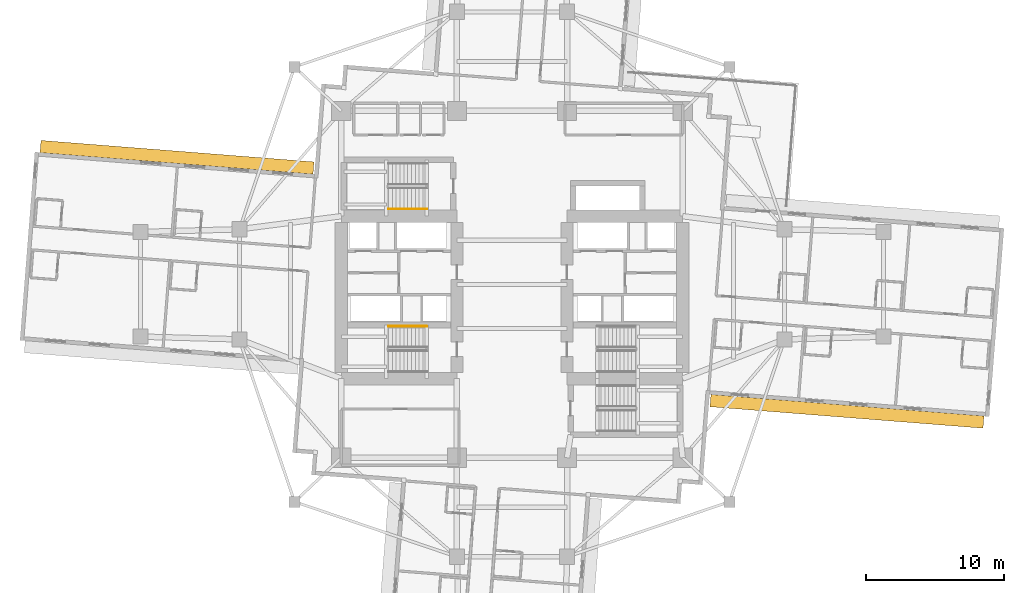
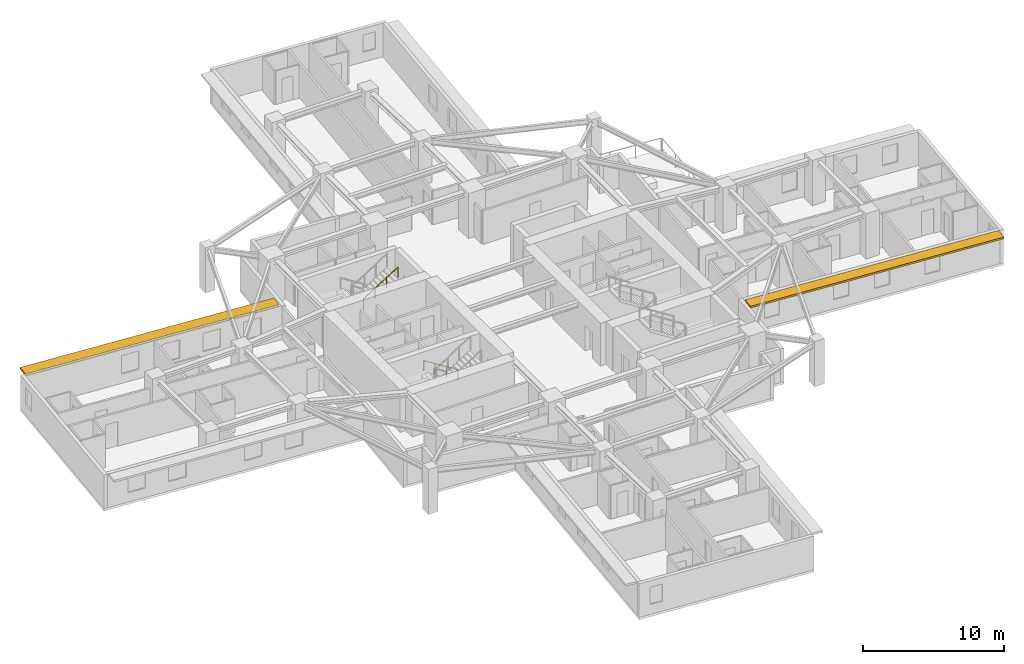
# One storey, part 12 of 14: 2 railings, 2 shading devices.
"""IFC4 building model written with IfcOpenShell, lengths in metres."""

from ifc_helpers import new_model, si_unit, direction, frame, origin, origin_2d, place, context, subcontext, project, spatial, rectangle, circle, extrude, material, layer, layer_set, type_object, element, save


model = new_model("IFC4")

# Units and contexts
model_context = context("Model", 3, precision=1e-05, world=origin(), true_north=direction((0.0, 1.0)))
body_context = subcontext(model_context, "Body", "Model", "MODEL_VIEW")
ifc_project = project(units=[si_unit("LENGTHUNIT", "METRE"), si_unit("AREAUNIT", "SQUARE_METRE"), si_unit("VOLUMEUNIT", "CUBIC_METRE"), si_unit("PLANEANGLEUNIT", "RADIAN"), si_unit("MASSUNIT", "GRAM", prefix="KILO")], contexts=[model_context])

# Site, building, storey
site_placement = place(None, origin())
site = spatial("IfcSite", under=ifc_project, at=site_placement, CompositionType="ELEMENT")
building_placement = place(site_placement, origin())
building = spatial("IfcBuilding", under=site, at=building_placement, Name="Qingluan Cross Belvedere", CompositionType="ELEMENT")
storey_placement = place(building_placement, frame((0.0, 0.0, 83.39990234375)))
storey = spatial("IfcBuildingStorey", under=building, at=storey_placement, Name="L21", CompositionType="ELEMENT", Elevation=83.39990234375)

# Shading devices
ifc_material_1 = material(Name="Precast concrete C45", Category="concrete")
ifc_layer = layer(ifc_material_1, 0.159912109375, Name="ConcreteSunshadeBand_900")
ifc_layer_set = layer_set([ifc_layer], Name="Precast concrete C45")
shading_device_type = type_object("IfcShadingDeviceType", Name="ConcreteSunshadeBand_900", PredefinedType="USERDEFINED", material=ifc_layer_set)
for number, where, z_axis, x_axis, name in (
    (1, (24.341064453125, -9.228271484375, 2.72998046875), (0.0, 0.0, 1.0), (0.996917430244, -0.078457869429, 0.0), "Concrete SUNSHADE L21-EA"),
    (2, (-24.341064453125, 9.228271484375, 2.72998046875), (0.0, 0.0, 1.0), (-0.996917430244, 0.078457869429, 0.0), "Concrete SUNSHADE L21-WA"),
):
    element("IfcShadingDevice", number, at=place(storey_placement, frame(where, z_axis=z_axis, x_axis=x_axis)), inside=storey, type_object=shading_device_type, Name=name, ObjectType="SUNSHADE", PredefinedType="USERDEFINED", context=body_context, shape_type="SweptSolid", body=[
        extrude(rectangle(XDim=19.89990234375, YDim=0.89990234375, at=origin_2d()), origin(), (0.0, 0.0, 1.0), 0.159912109375),
    ])

# Railings
ifc_material_2 = material(Name="Brushed stainless steel tubular handrail", Category="steel")
railing_type = type_object("IfcRailingType", Name="StairPitchHandrail_900", PredefinedType="HANDRAIL", material=ifc_material_2)
railing_1_placement = place(storey_placement, frame((-6.179931640625, -3.050048828125, 0.177490234375)))
element("IfcRailing", 3, at=railing_1_placement, inside=storey, type_object=railing_type, Name="L21 ST1 stair handrail 1", PredefinedType="HANDRAIL", context=body_context, shape_type="SweptSolid", body=[
    extrude(circle(Radius=0.02392578125, at=origin_2d()), frame((0.0, 0.0, 0.8759765625), z_axis=(-0.844908973607, 0.0, 0.534910110503), x_axis=(0.0, -1.0, 0.0)), (0.0, 0.0, 1.0), 3.31396484375),
    extrude(circle(Radius=0.02099609375, at=origin_2d()), origin(), (0.0, 0.0, 1.0), 0.851806640625),
    extrude(circle(Radius=0.02099609375, at=origin_2d()), frame((-0.933349609375, 0.0, 0.5908203125)), (0.0, 0.0, 1.0), 0.851806640625),
    extrude(circle(Radius=0.02099609375, at=origin_2d()), frame((-1.86669921875, 0.0, 1.181884765625)), (0.0, 0.0, 1.0), 0.851806640625),
    extrude(circle(Radius=0.02099609375, at=origin_2d()), frame((-2.800048828125, 0.0, 1.772705078125)), (0.0, 0.0, 1.0), 0.851806640625),
])
railing_2_placement = place(storey_placement, frame((-8.97998046875, 5.469970703125, 2.12744140625)))
element("IfcRailing", 4, at=railing_2_placement, inside=storey, type_object=railing_type, Name="L21 ST3 stair handrail 2", PredefinedType="HANDRAIL", context=body_context, shape_type="SweptSolid", body=[
    extrude(circle(Radius=0.02392578125, at=origin_2d()), frame((0.0, 0.0, 0.8759765625), z_axis=(0.844908973607, 0.0, 0.534910110503), x_axis=(0.0, 1.0, 0.0)), (0.0, 0.0, 1.0), 3.31396484375),
    extrude(circle(Radius=0.02099609375, at=origin_2d()), origin(), (0.0, 0.0, 1.0), 0.851806640625),
    extrude(circle(Radius=0.02099609375, at=origin_2d()), frame((0.933349609375, 0.0, 0.5908203125)), (0.0, 0.0, 1.0), 0.851806640625),
    extrude(circle(Radius=0.02099609375, at=origin_2d()), frame((1.86669921875, 0.0, 1.181884765625)), (0.0, 0.0, 1.0), 0.851806640625),
    extrude(circle(Radius=0.02099609375, at=origin_2d()), frame((2.800048828125, 0.0, 1.772705078125)), (0.0, 0.0, 1.0), 0.851806640625),
])

save(model, "model.ifc")
